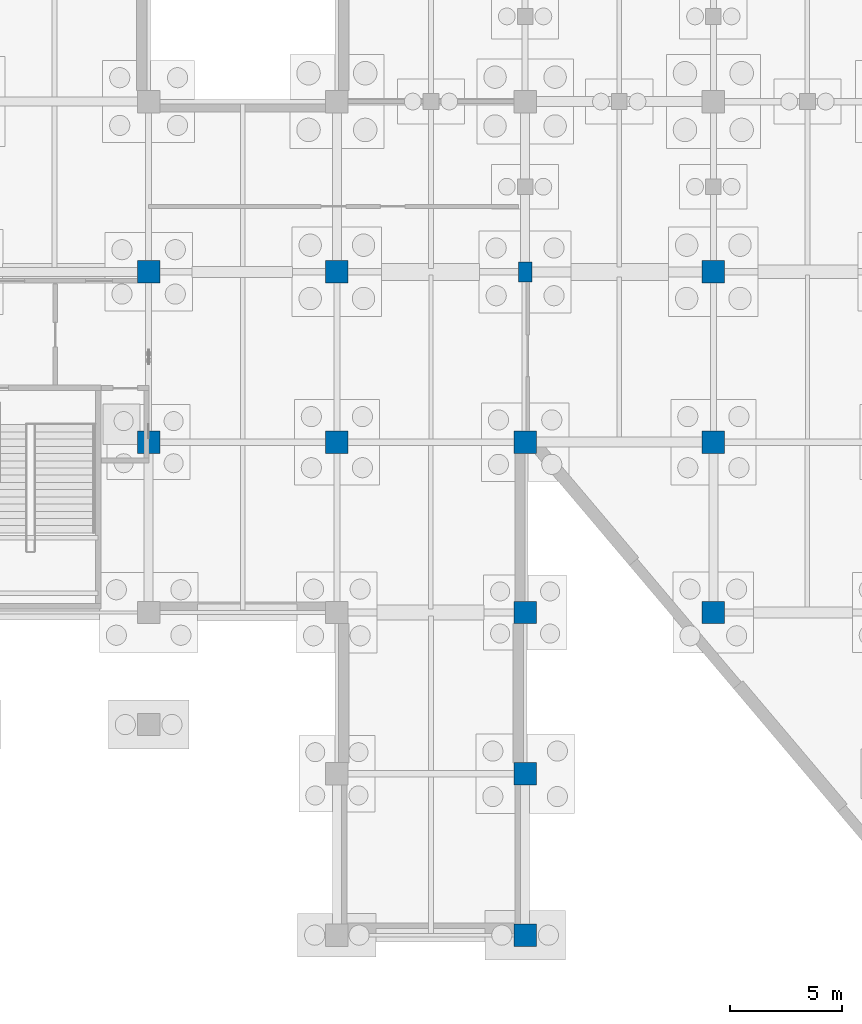
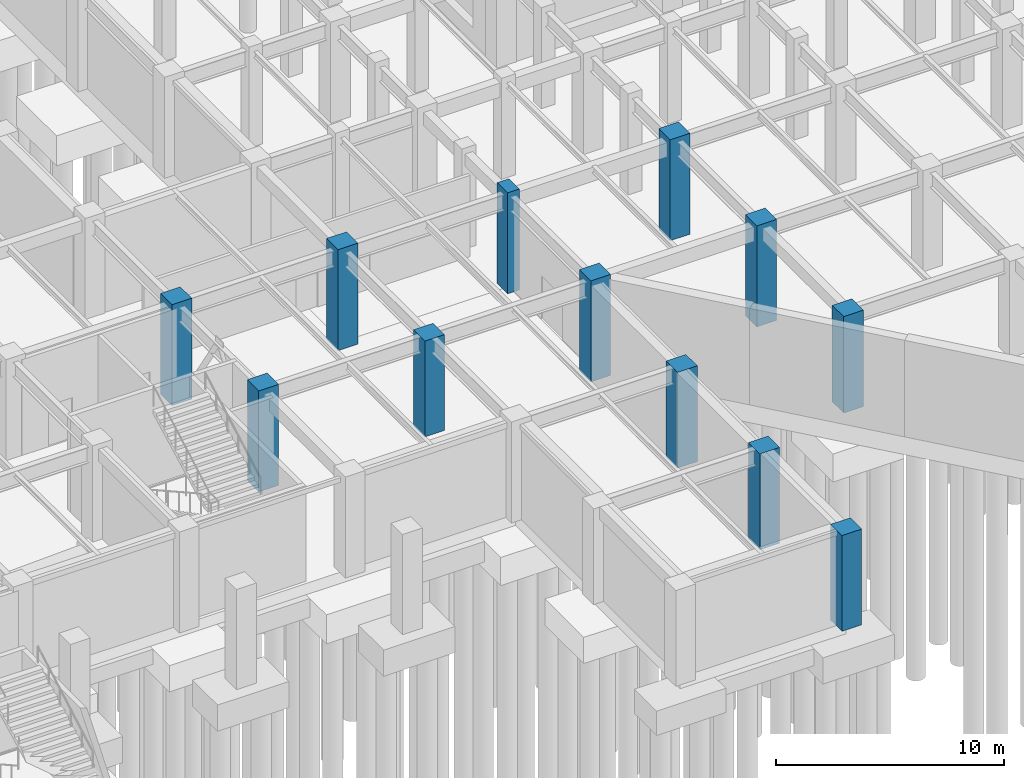
# One storey, part 15 of 52: 12 columns.
"""IFC4 building model written with IfcOpenShell, lengths in metres."""

from ifc_helpers import new_model, si_unit, direction, frame, origin, origin_2d, place, context, subcontext, project, spatial, rectangle, extrude, material, material_profile, profile_set, type_object, element, save


model = new_model("IFC4")

# Units and contexts
model_context = context("Model", 3, precision=1e-05, world=origin(), true_north=direction((0.0, 1.0)))
body_context = subcontext(model_context, "Body", "Model", "MODEL_VIEW")
ifc_project = project(units=[si_unit("LENGTHUNIT", "METRE"), si_unit("AREAUNIT", "SQUARE_METRE"), si_unit("VOLUMEUNIT", "CUBIC_METRE"), si_unit("PLANEANGLEUNIT", "RADIAN"), si_unit("MASSUNIT", "GRAM", prefix="KILO")], contexts=[model_context])

# Site, building, storey
site_placement = place(None, origin())
site = spatial("IfcSite", under=ifc_project, at=site_placement, CompositionType="ELEMENT")
building_placement = place(site_placement, origin())
building = spatial("IfcBuilding", under=site, at=building_placement, Name="Xicomal Pleat Aquarium", CompositionType="ELEMENT")
storey_placement = place(building_placement, frame((0.0, 0.0, -5.39990234375)))
storey = spatial("IfcBuildingStorey", under=building, at=storey_placement, Name="B1", CompositionType="ELEMENT", Elevation=-5.39990234375)

# Columns
ifc_material_1 = material(Name="Concrete C40/50", Category="concrete")
ifc_material_profile_1 = material_profile(ifc_material_1, rectangle(XDim=1.0, YDim=1.0, at=origin_2d()), Name="RC 1000x1000")
ifc_profile_set_1 = profile_set([ifc_material_profile_1], Name="Concrete C40/50")
column_type_1 = type_object("IfcColumnType", Name="COL-RC-1000x1000", PredefinedType="COLUMN", material=ifc_profile_set_1)
for number, where, z_axis, x_axis, name in (
    (1, (35.39990234375, 22.800048828125, 0.0), (0.0, 0.0, 1.0), (1.0, 0.0, 0.0), "B1 column 05/D"),
    (2, (35.39990234375, 30.39990234375, 0.0), (0.0, 0.0, 1.0), (1.0, 0.0, 0.0), "B1 column 05/E"),
):
    element("IfcColumn", number, at=place(storey_placement, frame(where, z_axis=z_axis, x_axis=x_axis)), inside=storey, type_object=column_type_1, Name=name, PredefinedType="COLUMN", context=body_context, shape_type="SweptSolid", body=[
        extrude(rectangle(XDim=1.0, YDim=1.0, at=origin_2d()), origin(), (0.0, 0.0, 1.0), 5.39990234375),
    ])
column_1_placement = place(storey_placement, frame((43.800048828125, 22.800048828125, 0.0), z_axis=(0.0, 0.0, 1.0), x_axis=(1.0, 0.0, 0.0)))
element("IfcColumn", 3, at=column_1_placement, inside=storey, type_object=column_type_1, Name="B1 column 06/D", PredefinedType="COLUMN", context=body_context, shape_type="SweptSolid", body=[
    extrude(rectangle(XDim=1.0, YDim=1.0, at=origin_2d()), origin(), (0.0, 0.0, 1.0), 5.119873046875),
])
column_2_placement = place(storey_placement, frame((43.800048828125, 30.39990234375, 0.0), z_axis=(0.0, 0.0, 1.0), x_axis=(1.0, 0.0, 0.0)))
element("IfcColumn", 4, at=column_2_placement, inside=storey, type_object=column_type_1, Name="B1 column 06/E", PredefinedType="COLUMN", context=body_context, shape_type="SweptSolid", body=[
    extrude(rectangle(XDim=1.0, YDim=1.0, at=origin_2d()), origin(), (0.0, 0.0, 1.0), 5.39990234375),
])
for number, where, z_axis, x_axis, name in (
    (5, (52.199951171875, 0.800048828125, 0.0), (0.0, 0.0, 1.0), (1.0, 0.0, 0.0), "B1 column 07/A"),
    (6, (52.199951171875, 8.0, 0.0), (0.0, 0.0, 1.0), (1.0, 0.0, 0.0), "B1 column 07/B"),
    (7, (52.199951171875, 15.199951171875, 0.0), (0.0, 0.0, 1.0), (1.0, 0.0, 0.0), "B1 column 07/C"),
):
    element("IfcColumn", number, at=place(storey_placement, frame(where, z_axis=z_axis, x_axis=x_axis)), inside=storey, type_object=column_type_1, Name=name, PredefinedType="COLUMN", context=body_context, shape_type="SweptSolid", body=[
        extrude(rectangle(XDim=1.0, YDim=1.0, at=origin_2d()), origin(), (0.0, 0.0, 1.0), 5.119873046875),
    ])
column_3_placement = place(storey_placement, frame((52.199951171875, 22.800048828125, 0.0), z_axis=(0.0, 0.0, 1.0), x_axis=(1.0, 0.0, 0.0)))
element("IfcColumn", 8, at=column_3_placement, inside=storey, type_object=column_type_1, Name="B1 column 07/D", PredefinedType="COLUMN", context=body_context, shape_type="SweptSolid", body=[
    extrude(rectangle(XDim=1.0, YDim=1.0, at=origin_2d()), origin(), (0.0, 0.0, 1.0), 5.39990234375),
])
column_4_placement = place(storey_placement, frame((60.60009765625, 15.199951171875, 0.0), z_axis=(0.0, 0.0, 1.0), x_axis=(1.0, 0.0, 0.0)))
element("IfcColumn", 9, at=column_4_placement, inside=storey, type_object=column_type_1, Name="B1 column 08/C", PredefinedType="COLUMN", context=body_context, shape_type="SweptSolid", body=[
    extrude(rectangle(XDim=1.0, YDim=1.0, at=origin_2d()), origin(), (0.0, 0.0, 1.0), 5.159912109375),
])
for number, where, z_axis, x_axis, name in (
    (10, (60.60009765625, 22.800048828125, 0.0), (0.0, 0.0, 1.0), (1.0, 0.0, 0.0), "B1 column 08/D"),
    (11, (60.60009765625, 30.39990234375, 0.0), (0.0, 0.0, 1.0), (1.0, 0.0, 0.0), "B1 column 08/E"),
):
    element("IfcColumn", number, at=place(storey_placement, frame(where, z_axis=z_axis, x_axis=x_axis)), inside=storey, type_object=column_type_1, Name=name, PredefinedType="COLUMN", context=body_context, shape_type="SweptSolid", body=[
        extrude(rectangle(XDim=1.0, YDim=1.0, at=origin_2d()), origin(), (0.0, 0.0, 1.0), 5.39990234375),
    ])
ifc_material_2 = material(Name="Concrete C40/50", Category="concrete")
ifc_material_profile_2 = material_profile(ifc_material_2, rectangle(XDim=0.60009765625, YDim=0.89990234375, at=origin_2d()), Name="RC 600x900")
ifc_profile_set_2 = profile_set([ifc_material_profile_2], Name="Concrete C40/50")
column_type_2 = type_object("IfcColumnType", Name="COL-RC-600x900", PredefinedType="COLUMN", material=ifc_profile_set_2)
column_5_placement = place(storey_placement, frame((52.199951171875, 30.39990234375, 0.0), z_axis=(0.0, 0.0, 1.0), x_axis=(1.0, 0.0, 0.0)))
element("IfcColumn", 12, at=column_5_placement, inside=storey, type_object=column_type_2, Name="B1 column 07/E", PredefinedType="COLUMN", context=body_context, shape_type="SweptSolid", body=[
    extrude(rectangle(XDim=0.60009765625, YDim=0.89990234375, at=origin_2d()), origin(), (0.0, 0.0, 1.0), 5.39990234375),
])

save(model, "model.ifc")
